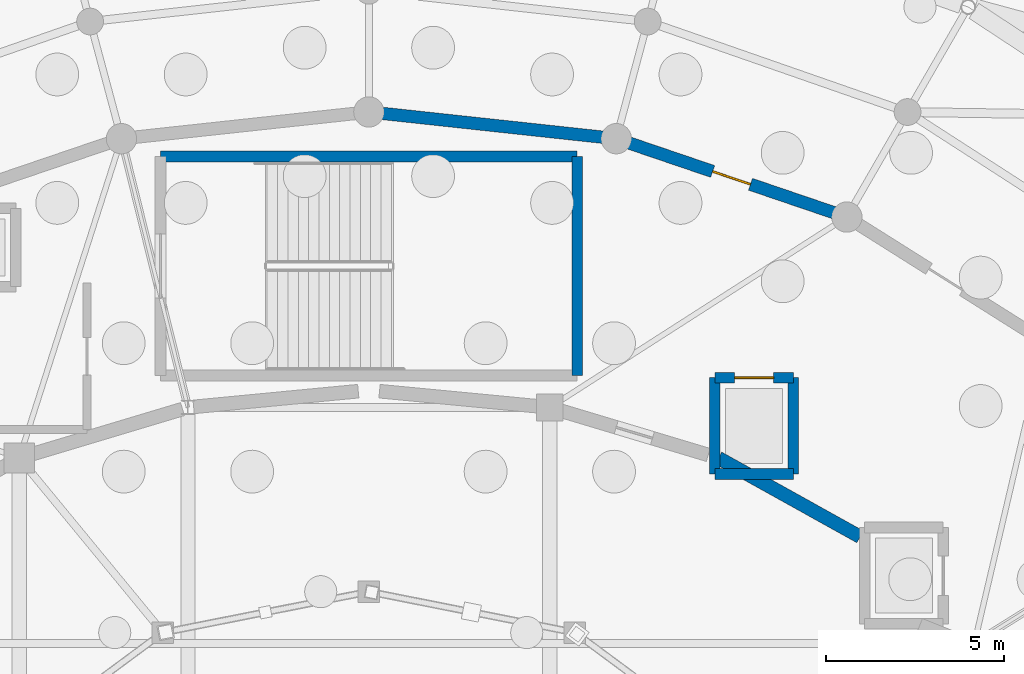
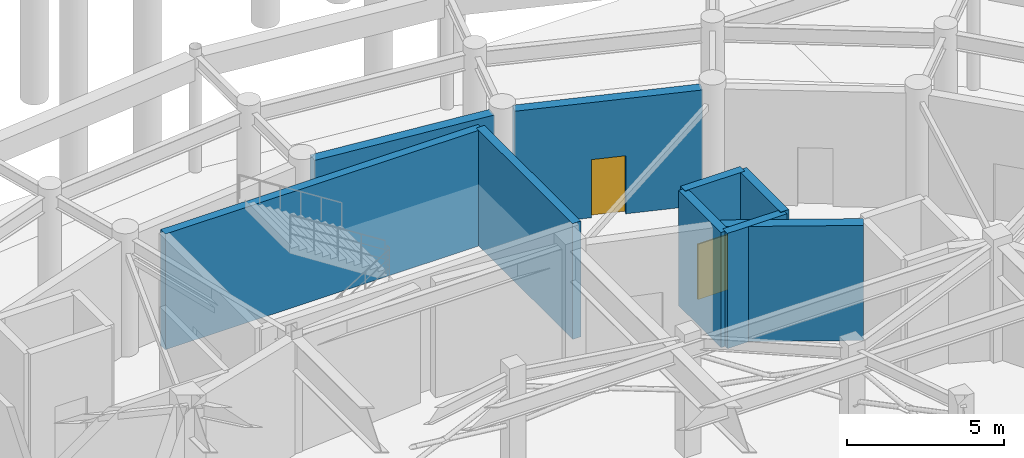
# One storey, part 39 of 68: 9 walls, 2 doors, 2 openings.
"""IFC4 building model written with IfcOpenShell, lengths in metres."""

from ifc_helpers import new_model, si_unit, direction, frame, frame_2d, origin, place, context, subcontext, project, spatial, rectangle, extrude, material, layer, layer_set, type_object, element, fill, save


model = new_model("IFC4")

# Units and contexts
model_context = context("Model", 3, precision=1e-05, world=origin(), true_north=direction((0.0, 1.0)))
body_context = subcontext(model_context, "Body", "Model", "MODEL_VIEW")
ifc_project = project(units=[si_unit("LENGTHUNIT", "METRE"), si_unit("AREAUNIT", "SQUARE_METRE"), si_unit("VOLUMEUNIT", "CUBIC_METRE"), si_unit("PLANEANGLEUNIT", "RADIAN"), si_unit("MASSUNIT", "GRAM", prefix="KILO")], contexts=[model_context])

# Site, building, storey
site_placement = place(None, origin())
site = spatial("IfcSite", under=ifc_project, at=site_placement, CompositionType="ELEMENT")
building_placement = place(site_placement, origin())
building = spatial("IfcBuilding", under=site, at=building_placement, Name="Cinderbank Siding Concert Hall", CompositionType="ELEMENT")
storey_placement = place(building_placement, frame((0.0, 0.0, -4.800048828125)))
storey = spatial("IfcBuildingStorey", under=building, at=storey_placement, Name="B1", CompositionType="ELEMENT", Elevation=-4.800048828125)

# Wall
ifc_material_1 = material(Name="Reinforced concrete AS 3600 N50 (50 MPa)", Category="concrete")
ifc_layer_1 = layer(ifc_material_1, 0.3798828125)
ifc_layer_set_1 = layer_set([ifc_layer_1], Name="Reinforced concrete AS 3600 N50 (50 MPa)")
wall_type_1 = type_object("IfcWallType", Name="WL-01 Structural Wall 380mm", PredefinedType="SOLIDWALL", material=ifc_layer_set_1)
wall_1_placement = place(storey_placement, frame((135.77197265625, 54.089599609375, 0.0), z_axis=(0.0, 0.0, 1.0), x_axis=(-0.874028004615, 0.485875546975, 0.0)))
element("IfcWall", 1, at=wall_1_placement, inside=storey, type_object=wall_type_1, Name="B1 Structural Wall SW-E1-B1-04", PredefinedType="SOLIDWALL", context=body_context, shape_type="SweptSolid", body=[
    extrude(rectangle(XDim=4.54443359375, YDim=0.3798828125, at=frame_2d((2.272216796875, 0.0))), origin(), (0.0, 0.0, 1.0), 4.47998046875),
])

# Wall, opening, door
ifc_layer_2 = layer(ifc_material_1, 0.35009765625)
ifc_layer_set_2 = layer_set([ifc_layer_2], Name="Reinforced concrete AS 3600 N50 (50 MPa)")
wall_type_2 = type_object("IfcWallType", Name="WL-02 Structural Wall 350mm", PredefinedType="SHEAR", material=ifc_layer_set_2)
wall_2_placement = place(storey_placement, frame((135.05908203125, 63.16845703125, 0.0), z_axis=(0.0, 0.0, 1.0), x_axis=(-0.946763241211, 0.321930683675, 0.0)))
wall_2 = element("IfcWall", 2, at=wall_2_placement, inside=storey, type_object=wall_type_2, Name="B1 Structural Wall SW-E2-B1-05", PredefinedType="SHEAR", context=body_context, shape_type="SweptSolid", body=[
    extrude(rectangle(XDim=6.107177734375, YDim=0.35009765625, at=frame_2d((3.0537109375, 0.0))), origin(), (0.0, 0.0, 1.0), 4.47998046875),
])
opening_1_placement = place(wall_2_placement, frame((2.49365234375, 0.0, 0.0)))
opening_1 = element("IfcOpeningElement", 3, at=opening_1_placement, cuts=wall_2, Name="Opening D-19", PredefinedType="OPENING", context=body_context, shape_type="SweptSolid", body=[
    extrude(rectangle(XDim=1.1201171875, YDim=2.260009765625, at=frame_2d((0.56005859375, 1.1298828125))), frame((0.0, 0.18701171875, 0.0), z_axis=(0.0, -1.0, 0.0), x_axis=(1.0, 0.0, 0.0)), (0.0, 0.0, 1.0), 0.3740234375),
])
ifc_material_2 = material(Name="Solid-core spotted gum acoustic timber", Category="wood")
door_type_1 = type_object("IfcDoorType", Name="D-19 Interior Door 1120x2260", OperationType="NOTDEFINED", PredefinedType="DOOR", material=ifc_material_2)
door_1_placement = place(opening_1_placement, origin())
door_1 = element("IfcDoor", 4, at=door_1_placement, inside=storey, type_object=door_type_1, Name="B1 Auditorium Sound-Lock Door B1-D108", OperationType="SINGLE_SWING_LEFT", OverallHeight=2.260009765625, OverallWidth=1.1201171875, PredefinedType="DOOR", context=body_context, shape_type="SweptSolid", body=[
    extrude(rectangle(XDim=1.1201171875, YDim=2.260009765625, at=frame_2d((0.56005859375, 1.1298828125))), frame((0.0, 0.02490234375, 0.0), z_axis=(0.0, -1.0, 0.0), x_axis=(1.0, 0.0, 0.0)), (0.0, 0.0, 1.0), 0.050048828125),
])
fill(opening_1, door_1)

# Walls
wall_3_placement = place(storey_placement, frame((128.57861328125, 65.2890625, 0.0), z_axis=(0.0, 0.0, 1.0), x_axis=(-0.994213694453, 0.107420341477, 0.0)))
element("IfcWall", 5, at=wall_3_placement, inside=storey, type_object=wall_type_2, Name="B1 Structural Wall SW-E2-B1-06", PredefinedType="SHEAR", context=body_context, shape_type="SweptSolid", body=[
    extrude(rectangle(XDim=6.2568359375, YDim=0.35009765625, at=frame_2d((3.12841796875, 0.0))), origin(), (0.0, 0.0, 1.0), 4.47998046875),
])
ifc_layer_3 = layer(ifc_material_1, 0.300048828125)
ifc_layer_set_3 = layer_set([ifc_layer_3], Name="Reinforced concrete AS 3600 N50 (50 MPa)")
wall_type_3 = type_object("IfcWallType", Name="WL-03 Structural Wall 300mm", PredefinedType="SHEAR", material=ifc_layer_set_3)
wall_4_placement = place(storey_placement, frame((127.840087890625, 64.75, 0.0), z_axis=(0.0, 0.0, 1.0), x_axis=(0.0, -1.0, 0.0)))
element("IfcWall", 6, at=wall_4_placement, inside=storey, type_object=wall_type_3, Name="B1 ST-01 Core Wall FAR", PredefinedType="SHEAR", context=body_context, shape_type="SweptSolid", body=[
    extrude(rectangle(XDim=6.139892578125, YDim=0.300048828125, at=frame_2d((3.06982421875, 0.0))), origin(), (0.0, 0.0, 1.0), 4.5),
])
wall_5_placement = place(storey_placement, frame((116.159912109375, 64.75, 0.0), z_axis=(0.0, 0.0, 1.0), x_axis=(1.0, 0.0, 0.0)))
element("IfcWall", 7, at=wall_5_placement, inside=storey, type_object=wall_type_3, Name="B1 ST-01 Core Wall SIDE2", PredefinedType="SHEAR", context=body_context, shape_type="SweptSolid", body=[
    extrude(rectangle(XDim=11.68017578125, YDim=0.300048828125, at=frame_2d((5.840087890625, 0.0))), origin(), (0.0, 0.0, 1.0), 4.5),
])
wall_6_placement = place(storey_placement, frame((133.89990234375, 55.85009765625, 0.0), z_axis=(0.0, 0.0, 1.0), x_axis=(-1.0, 0.0, 0.0)))
element("IfcWall", 8, at=wall_6_placement, inside=storey, type_object=wall_type_3, Name="B1 LF-01 Shaft Wall -Y", PredefinedType="SHEAR", context=body_context, shape_type="SweptSolid", body=[
    extrude(rectangle(XDim=2.199951171875, YDim=0.300048828125, at=frame_2d((1.10009765625, 0.0))), origin(), (0.0, 0.0, 1.0), 4.47998046875),
])
wall_7_placement = place(storey_placement, frame((133.89990234375, 58.550048828125, 0.0), z_axis=(0.0, 0.0, 1.0), x_axis=(0.0, -1.0, 0.0)))
element("IfcWall", 9, at=wall_7_placement, inside=storey, type_object=wall_type_3, Name="B1 LF-01 Shaft Wall +X", PredefinedType="SHEAR", context=body_context, shape_type="SweptSolid", body=[
    extrude(rectangle(XDim=2.699951171875, YDim=0.300048828125, at=frame_2d((1.35009765625, 0.0))), origin(), (0.0, 0.0, 1.0), 4.5),
])

# Wall, opening, door
wall_8_placement = place(storey_placement, frame((131.699951171875, 58.550048828125, 0.0), z_axis=(0.0, 0.0, 1.0), x_axis=(1.0, 0.0, 0.0)))
wall_8 = element("IfcWall", 10, at=wall_8_placement, inside=storey, type_object=wall_type_3, Name="B1 LF-01 Shaft Wall +Y", PredefinedType="SHEAR", context=body_context, shape_type="SweptSolid", body=[
    extrude(rectangle(XDim=2.199951171875, YDim=0.300048828125, at=frame_2d((1.10009765625, 0.0))), origin(), (0.0, 0.0, 1.0), 4.5),
])
opening_2_placement = place(wall_8_placement, frame((0.550048828125, 0.0, 0.0)))
opening_2 = element("IfcOpeningElement", 11, at=opening_2_placement, cuts=wall_8, Name="Opening LD-01", PredefinedType="OPENING", context=body_context, shape_type="SweptSolid", body=[
    extrude(rectangle(XDim=1.10009765625, YDim=2.14990234375, at=frame_2d((0.550048828125, 1.074951171875))), frame((0.0, 0.162109375, 0.0), z_axis=(0.0, -1.0, 0.0), x_axis=(1.0, 0.0, 0.0)), (0.0, 0.0, 1.0), 0.323974609375),
])
ifc_material_3 = material(Name="Galvanised sheet steel acoustic fire door assembly", Category="steel")
door_type_2 = type_object("IfcDoorType", Name="LD-01 Interior Door 1100x2150", OperationType="DOUBLE_DOOR_SLIDING", PredefinedType="DOOR", material=ifc_material_3)
door_2_placement = place(opening_2_placement, origin())
door_2 = element("IfcDoor", 12, at=door_2_placement, inside=storey, type_object=door_type_2, Name="B1 LF-01 Sliding Landing Door", OperationType="DOUBLE_DOOR_SLIDING", OverallHeight=2.14990234375, OverallWidth=1.10009765625, PredefinedType="DOOR", context=body_context, shape_type="SweptSolid", body=[
    extrude(rectangle(XDim=1.10009765625, YDim=2.14990234375, at=frame_2d((0.550048828125, 1.074951171875))), frame((0.0, 0.02490234375, 0.0), z_axis=(0.0, -1.0, 0.0), x_axis=(1.0, 0.0, 0.0)), (0.0, 0.0, 1.0), 0.050048828125),
])
fill(opening_2, door_2)

# Wall
wall_9_placement = place(storey_placement, frame((131.699951171875, 55.85009765625, 0.0), z_axis=(0.0, 0.0, 1.0), x_axis=(0.0, 1.0, 0.0)))
element("IfcWall", 13, at=wall_9_placement, inside=storey, type_object=wall_type_3, Name="B1 LF-01 Shaft Wall -X", PredefinedType="SHEAR", context=body_context, shape_type="SweptSolid", body=[
    extrude(rectangle(XDim=2.699951171875, YDim=0.300048828125, at=frame_2d((1.35009765625, 0.0))), origin(), (0.0, 0.0, 1.0), 4.47998046875),
])

save(model, "model.ifc")
